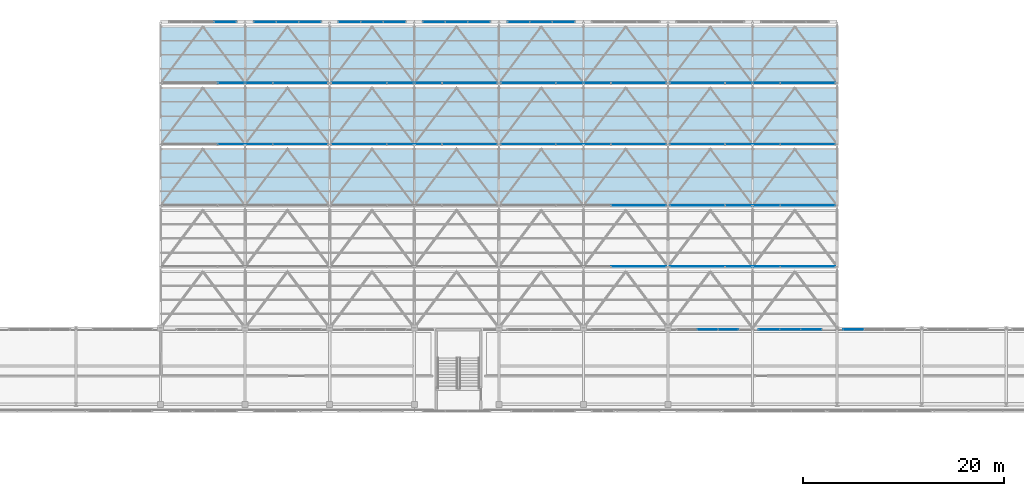
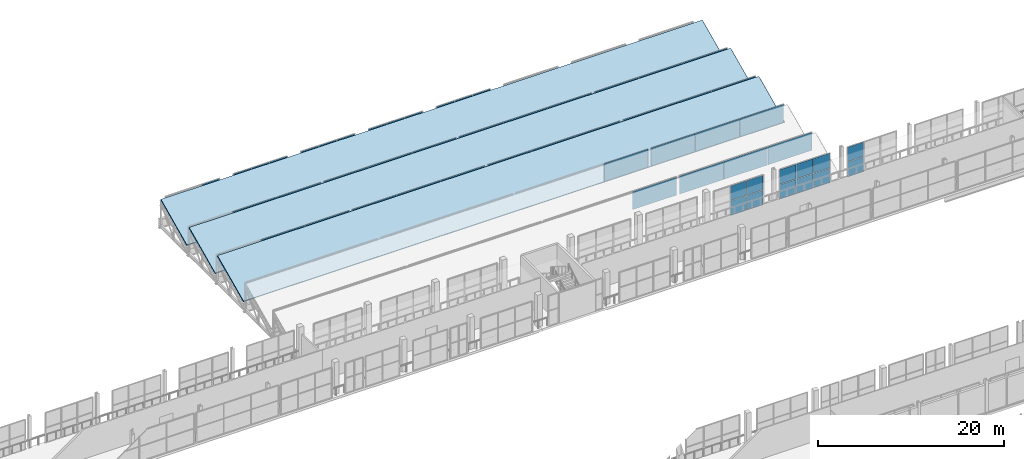
# One storey, part 172 of 217: 55 plates, 3 slabs, 20 elements without a shape of their own.
"""IFC4 building model written with IfcOpenShell, lengths in metres."""

from ifc_helpers import new_model, si_unit, direction, frame, origin, origin_2d, place, context, subcontext, project, spatial, polyline, rectangle, outline, extrude, material, layer, layer_set, type_object, element, aggregate, save


model = new_model("IFC4")

# Units and contexts
model_context = context("Model", 3, precision=1e-05, world=origin(), true_north=direction((0.0, 1.0)))
body_context = subcontext(model_context, "Body", "Model", "MODEL_VIEW")
ifc_project = project(units=[si_unit("LENGTHUNIT", "METRE"), si_unit("AREAUNIT", "SQUARE_METRE"), si_unit("VOLUMEUNIT", "CUBIC_METRE"), si_unit("PLANEANGLEUNIT", "RADIAN"), si_unit("MASSUNIT", "GRAM", prefix="KILO")], contexts=[model_context])

# Site, building, storey
site_placement = place(None, origin())
site = spatial("IfcSite", under=ifc_project, at=site_placement, CompositionType="ELEMENT")
building_placement = place(site_placement, origin())
building = spatial("IfcBuilding", under=site, at=building_placement, Name="Zuvorla Pavilion Media Centre", CompositionType="ELEMENT")
storey_placement = place(building_placement, frame((0.0, 0.0, 9.60009765625)))
storey = spatial("IfcBuildingStorey", under=building, at=storey_placement, Name="L02", CompositionType="ELEMENT", Elevation=9.60009765625)

# Curtain wall, plates
ifc_material_1 = material(Name="Unitised anodised aluminium and solar glass curtain wall", Category="aluminium")
curtain_wall_type_1 = type_object("IfcCurtainWallType", Name="CW-SYS-10", PredefinedType="USERDEFINED", material=ifc_material_1)
curtain_wall_1_placement = place(storey_placement, origin())
curtain_wall_1 = element("IfcCurtainWall", 1, at=curtain_wall_1_placement, inside=storey, type_object=curtain_wall_type_1, Name="L02 curtain wall CW10 15", ObjectType="CURTAIN WALL", PredefinedType="USERDEFINED")
ifc_material_2 = material(Name="Solar control double glazing", Category="glass")
ifc_layer_1 = layer(ifc_material_2, 0.028076171875)
ifc_layer_set_1 = layer_set([ifc_layer_1], Name="Solar control double glazing")
plate_type_1 = type_object("IfcPlateType", Name="CW-PNL-28", PredefinedType="CURTAIN_PANEL", material=ifc_layer_set_1)
plate_1_placement = place(storey_placement, frame((131.423828125, 89.43994140625, 0.02978515625), z_axis=(0.0, 0.0, 1.0), x_axis=(-1.0, 0.0, 0.0)))
plate_1 = element("IfcPlate", 2, at=plate_1_placement, type_object=plate_type_1, Name="CW10 panel 1.1", PredefinedType="CURTAIN_PANEL", context=body_context, shape_type="SweptSolid", body=[
    extrude(rectangle(XDim=2.029541015625, YDim=0.028076171875, at=origin_2d()), origin(), (0.0, 0.0, 1.0), 1.9150390625),
])
plate_2_placement = place(storey_placement, frame((131.423828125, 89.43994140625, 2.0048828125), z_axis=(0.0, 0.0, 1.0), x_axis=(-1.0, 0.0, 0.0)))
plate_2 = element("IfcPlate", 3, at=plate_2_placement, type_object=plate_type_1, Name="CW10 panel 1.2", PredefinedType="CURTAIN_PANEL", context=body_context, shape_type="SweptSolid", body=[
    extrude(rectangle(XDim=2.029541015625, YDim=0.028076171875, at=origin_2d()), origin(), (0.0, 0.0, 1.0), 1.9150390625),
])
plate_3_placement = place(storey_placement, frame((129.33447265625, 89.43994140625, 0.02978515625), z_axis=(0.0, 0.0, 1.0), x_axis=(-1.0, 0.0, 0.0)))
plate_3 = element("IfcPlate", 4, at=plate_3_placement, type_object=plate_type_1, Name="CW10 panel 2.1", PredefinedType="CURTAIN_PANEL", context=body_context, shape_type="SweptSolid", body=[
    extrude(rectangle(XDim=2.029541015625, YDim=0.028076171875, at=origin_2d()), origin(), (0.0, 0.0, 1.0), 1.9150390625),
])
plate_4_placement = place(storey_placement, frame((129.33447265625, 89.43994140625, 2.0048828125), z_axis=(0.0, 0.0, 1.0), x_axis=(-1.0, 0.0, 0.0)))
plate_4 = element("IfcPlate", 5, at=plate_4_placement, type_object=plate_type_1, Name="CW10 panel 2.2", PredefinedType="CURTAIN_PANEL", context=body_context, shape_type="SweptSolid", body=[
    extrude(rectangle(XDim=2.029541015625, YDim=0.028076171875, at=origin_2d()), origin(), (0.0, 0.0, 1.0), 1.9150390625),
])
plate_5_placement = place(storey_placement, frame((127.244873046875, 89.43994140625, 0.02978515625), z_axis=(0.0, 0.0, 1.0), x_axis=(-1.0, 0.0, 0.0)))
plate_5 = element("IfcPlate", 6, at=plate_5_placement, type_object=plate_type_1, Name="CW10 panel 3.1", PredefinedType="CURTAIN_PANEL", context=body_context, shape_type="SweptSolid", body=[
    extrude(rectangle(XDim=2.029541015625, YDim=0.028076171875, at=origin_2d()), origin(), (0.0, 0.0, 1.0), 1.9150390625),
])
plate_6_placement = place(storey_placement, frame((127.244873046875, 89.43994140625, 2.0048828125), z_axis=(0.0, 0.0, 1.0), x_axis=(-1.0, 0.0, 0.0)))
plate_6 = element("IfcPlate", 7, at=plate_6_placement, type_object=plate_type_1, Name="CW10 panel 3.2", PredefinedType="CURTAIN_PANEL", context=body_context, shape_type="SweptSolid", body=[
    extrude(rectangle(XDim=2.029541015625, YDim=0.028076171875, at=origin_2d()), origin(), (0.0, 0.0, 1.0), 1.9150390625),
])
aggregate(curtain_wall_1, [plate_1, plate_2, plate_3, plate_4, plate_5, plate_6])

curtain_wall_type_2 = type_object("IfcCurtainWallType", Name="CW-SYS-11", PredefinedType="USERDEFINED", material=ifc_material_1)
curtain_wall_2_placement = place(storey_placement, origin())
curtain_wall_2 = element("IfcCurtainWall", 8, at=curtain_wall_2_placement, inside=storey, type_object=curtain_wall_type_2, Name="L02 curtain wall CW11 16", ObjectType="CURTAIN WALL", PredefinedType="USERDEFINED")
ifc_material_3 = material(Name="Acoustic laminated solar glazing", Category="glass")
ifc_layer_2 = layer(ifc_material_3, 0.033935546875)
ifc_layer_set_2 = layer_set([ifc_layer_2], Name="Acoustic laminated solar glazing")
plate_type_2 = type_object("IfcPlateType", Name="CW-PNL-34", PredefinedType="CURTAIN_PANEL", material=ifc_layer_set_2)
plate_7_placement = place(storey_placement, frame((123.1845703125, 89.43994140625, 0.02978515625), z_axis=(0.0, 0.0, 1.0), x_axis=(-1.0, 0.0, 0.0)))
plate_7 = element("IfcPlate", 9, at=plate_7_placement, type_object=plate_type_2, Name="CW11 panel 1.1", PredefinedType="CURTAIN_PANEL", context=body_context, shape_type="SweptSolid", body=[
    extrude(rectangle(XDim=1.99365234375, YDim=0.033935546875, at=origin_2d()), origin(), (0.0, 0.0, 1.0), 1.9150390625),
])
plate_8_placement = place(storey_placement, frame((123.1845703125, 89.43994140625, 2.0048828125), z_axis=(0.0, 0.0, 1.0), x_axis=(-1.0, 0.0, 0.0)))
plate_8 = element("IfcPlate", 10, at=plate_8_placement, type_object=plate_type_2, Name="CW11 panel 1.2", PredefinedType="CURTAIN_PANEL", context=body_context, shape_type="SweptSolid", body=[
    extrude(rectangle(XDim=1.99365234375, YDim=0.033935546875, at=origin_2d()), origin(), (0.0, 0.0, 1.0), 1.9150390625),
])
plate_9_placement = place(storey_placement, frame((121.130859375, 89.43994140625, 0.02978515625), z_axis=(0.0, 0.0, 1.0), x_axis=(-1.0, 0.0, 0.0)))
plate_9 = element("IfcPlate", 11, at=plate_9_placement, type_object=plate_type_2, Name="CW11 panel 2.1", PredefinedType="CURTAIN_PANEL", context=body_context, shape_type="SweptSolid", body=[
    extrude(rectangle(XDim=1.99365234375, YDim=0.033935546875, at=origin_2d()), origin(), (0.0, 0.0, 1.0), 1.9150390625),
])
plate_10_placement = place(storey_placement, frame((121.130859375, 89.43994140625, 2.0048828125), z_axis=(0.0, 0.0, 1.0), x_axis=(-1.0, 0.0, 0.0)))
plate_10 = element("IfcPlate", 12, at=plate_10_placement, type_object=plate_type_2, Name="CW11 panel 2.2", PredefinedType="CURTAIN_PANEL", context=body_context, shape_type="SweptSolid", body=[
    extrude(rectangle(XDim=1.99365234375, YDim=0.033935546875, at=origin_2d()), origin(), (0.0, 0.0, 1.0), 1.9150390625),
])
aggregate(curtain_wall_2, [plate_7, plate_8, plate_9, plate_10])

curtain_wall_type_3 = type_object("IfcCurtainWallType", Name="CW-SYS-09", PredefinedType="USERDEFINED", material=ifc_material_1)
curtain_wall_3_placement = place(storey_placement, origin())
curtain_wall_3 = element("IfcCurtainWall", 13, at=curtain_wall_3_placement, inside=storey, type_object=curtain_wall_type_3, Name="L02 curtain wall CW09 14", ObjectType="CURTAIN WALL", PredefinedType="USERDEFINED")
ifc_material_4 = material(Name="Triple acoustic broadcast glazing", Category="glass")
ifc_layer_3 = layer(ifc_material_4, 0.0419921875)
ifc_layer_set_3 = layer_set([ifc_layer_3], Name="Triple acoustic broadcast glazing")
plate_type_3 = type_object("IfcPlateType", Name="CW-PNL-42", PredefinedType="CURTAIN_PANEL", material=ifc_layer_set_3)
plate_11_placement = place(storey_placement, frame((135.62109375, 89.43994140625, 0.02978515625), z_axis=(0.0, 0.0, 1.0), x_axis=(-1.0, 0.0, 0.0)))
plate_11 = element("IfcPlate", 14, at=plate_11_placement, type_object=plate_type_3, Name="CW09 panel 3.1", PredefinedType="CURTAIN_PANEL", context=body_context, shape_type="SweptSolid", body=[
    extrude(rectangle(XDim=1.98193359375, YDim=0.0419921875, at=origin_2d()), origin(), (0.0, 0.0, 1.0), 1.9150390625),
])
plate_12_placement = place(storey_placement, frame((135.62109375, 89.43994140625, 2.0048828125), z_axis=(0.0, 0.0, 1.0), x_axis=(-1.0, 0.0, 0.0)))
plate_12 = element("IfcPlate", 15, at=plate_12_placement, type_object=plate_type_3, Name="CW09 panel 3.2", PredefinedType="CURTAIN_PANEL", context=body_context, shape_type="SweptSolid", body=[
    extrude(rectangle(XDim=1.98193359375, YDim=0.0419921875, at=origin_2d()), origin(), (0.0, 0.0, 1.0), 1.9150390625),
])
aggregate(curtain_wall_3, [plate_11, plate_12])

# Curtain wall, plate
curtain_wall_type_4 = type_object("IfcCurtainWallType", Name="CW-SYS-88", PredefinedType="USERDEFINED", material=ifc_material_1)
curtain_wall_4_placement = place(storey_placement, origin())
curtain_wall_4 = element("IfcCurtainWall", 16, at=curtain_wall_4_placement, inside=storey, type_object=curtain_wall_type_4, Name="L02 curtain wall CW88 202", ObjectType="CURTAIN WALL", PredefinedType="USERDEFINED")
plate_13_placement = place(storey_placement, frame((114.293212890625, 95.679931640625, 0.02978515625), z_axis=(0.0, 0.0, 1.0), x_axis=(1.0, 0.0, 0.0)))
plate_13 = element("IfcPlate", 17, at=plate_13_placement, type_object=plate_type_3, Name="CW88 panel 3.1", PredefinedType="CURTAIN_PANEL", context=body_context, shape_type="SweptSolid", body=[
    extrude(rectangle(XDim=5.433349609375, YDim=0.0419921875, at=origin_2d()), origin(), (0.0, 0.0, 1.0), 2.360107421875),
])
aggregate(curtain_wall_4, [plate_13])

# Curtain wall, plates
curtain_wall_5_placement = place(storey_placement, origin())
curtain_wall_5 = element("IfcCurtainWall", 18, at=curtain_wall_5_placement, inside=storey, type_object=curtain_wall_type_4, Name="L02 curtain wall CW88 203", ObjectType="CURTAIN WALL", PredefinedType="USERDEFINED")
plate_14_placement = place(storey_placement, frame((120.106689453125, 95.679931640625, 0.02978515625), z_axis=(0.0, 0.0, 1.0), x_axis=(1.0, 0.0, 0.0)))
plate_14 = element("IfcPlate", 19, at=plate_14_placement, type_object=plate_type_3, Name="CW88 panel 1.1", PredefinedType="CURTAIN_PANEL", context=body_context, shape_type="SweptSolid", body=[
    extrude(rectangle(XDim=5.433349609375, YDim=0.0419921875, at=origin_2d()), origin(), (0.0, 0.0, 1.0), 2.360107421875),
])
plate_15_placement = place(storey_placement, frame((125.60009765625, 95.679931640625, 0.02978515625), z_axis=(0.0, 0.0, 1.0), x_axis=(1.0, 0.0, 0.0)))
plate_15 = element("IfcPlate", 20, at=plate_15_placement, type_object=plate_type_3, Name="CW88 panel 2.1", PredefinedType="CURTAIN_PANEL", context=body_context, shape_type="SweptSolid", body=[
    extrude(rectangle(XDim=5.433349609375, YDim=0.0419921875, at=origin_2d()), origin(), (0.0, 0.0, 1.0), 2.360107421875),
])
plate_16_placement = place(storey_placement, frame((131.09326171875, 95.679931640625, 0.02978515625), z_axis=(0.0, 0.0, 1.0), x_axis=(1.0, 0.0, 0.0)))
plate_16 = element("IfcPlate", 21, at=plate_16_placement, type_object=plate_type_3, Name="CW88 panel 3.1", PredefinedType="CURTAIN_PANEL", context=body_context, shape_type="SweptSolid", body=[
    extrude(rectangle(XDim=5.433349609375, YDim=0.0419921875, at=origin_2d()), origin(), (0.0, 0.0, 1.0), 2.360107421875),
])
aggregate(curtain_wall_5, [plate_14, plate_15, plate_16])

# Curtain wall, plate
curtain_wall_6_placement = place(storey_placement, origin())
curtain_wall_6 = element("IfcCurtainWall", 22, at=curtain_wall_6_placement, inside=storey, type_object=curtain_wall_type_4, Name="L02 curtain wall CW88 206", ObjectType="CURTAIN WALL", PredefinedType="USERDEFINED")
plate_17_placement = place(storey_placement, frame((114.293212890625, 101.760009765625, 0.02978515625), z_axis=(0.0, 0.0, 1.0), x_axis=(1.0, 0.0, 0.0)))
plate_17 = element("IfcPlate", 23, at=plate_17_placement, type_object=plate_type_3, Name="CW88 panel 3.1", PredefinedType="CURTAIN_PANEL", context=body_context, shape_type="SweptSolid", body=[
    extrude(rectangle(XDim=5.433349609375, YDim=0.0419921875, at=origin_2d()), origin(), (0.0, 0.0, 1.0), 2.360107421875),
])
aggregate(curtain_wall_6, [plate_17])

# Curtain wall, plates
curtain_wall_7_placement = place(storey_placement, origin())
curtain_wall_7 = element("IfcCurtainWall", 24, at=curtain_wall_7_placement, inside=storey, type_object=curtain_wall_type_4, Name="L02 curtain wall CW88 207", ObjectType="CURTAIN WALL", PredefinedType="USERDEFINED")
plate_18_placement = place(storey_placement, frame((120.106689453125, 101.760009765625, 0.02978515625), z_axis=(0.0, 0.0, 1.0), x_axis=(1.0, 0.0, 0.0)))
plate_18 = element("IfcPlate", 25, at=plate_18_placement, type_object=plate_type_3, Name="CW88 panel 1.1", PredefinedType="CURTAIN_PANEL", context=body_context, shape_type="SweptSolid", body=[
    extrude(rectangle(XDim=5.433349609375, YDim=0.0419921875, at=origin_2d()), origin(), (0.0, 0.0, 1.0), 2.360107421875),
])
plate_19_placement = place(storey_placement, frame((125.60009765625, 101.760009765625, 0.02978515625), z_axis=(0.0, 0.0, 1.0), x_axis=(1.0, 0.0, 0.0)))
plate_19 = element("IfcPlate", 26, at=plate_19_placement, type_object=plate_type_3, Name="CW88 panel 2.1", PredefinedType="CURTAIN_PANEL", context=body_context, shape_type="SweptSolid", body=[
    extrude(rectangle(XDim=5.433349609375, YDim=0.0419921875, at=origin_2d()), origin(), (0.0, 0.0, 1.0), 2.360107421875),
])
plate_20_placement = place(storey_placement, frame((131.09326171875, 101.760009765625, 0.02978515625), z_axis=(0.0, 0.0, 1.0), x_axis=(1.0, 0.0, 0.0)))
plate_20 = element("IfcPlate", 27, at=plate_20_placement, type_object=plate_type_3, Name="CW88 panel 3.1", PredefinedType="CURTAIN_PANEL", context=body_context, shape_type="SweptSolid", body=[
    extrude(rectangle(XDim=5.433349609375, YDim=0.0419921875, at=origin_2d()), origin(), (0.0, 0.0, 1.0), 2.360107421875),
])
aggregate(curtain_wall_7, [plate_18, plate_19, plate_20])

curtain_wall_8_placement = place(storey_placement, origin())
curtain_wall_8 = element("IfcCurtainWall", 28, at=curtain_wall_8_placement, inside=storey, type_object=curtain_wall_type_4, Name="L02 curtain wall CW88 208", ObjectType="CURTAIN WALL", PredefinedType="USERDEFINED")
plate_21_placement = place(storey_placement, frame((75.199951171875, 107.840087890625, 0.02978515625), z_axis=(0.0, 0.0, 1.0), x_axis=(1.0, 0.0, 0.0)))
plate_21 = element("IfcPlate", 29, at=plate_21_placement, type_object=plate_type_3, Name="CW88 panel 2.1", PredefinedType="CURTAIN_PANEL", context=body_context, shape_type="SweptSolid", body=[
    extrude(rectangle(XDim=5.433349609375, YDim=0.0419921875, at=origin_2d()), origin(), (0.0, 0.0, 1.0), 2.360107421875),
])
plate_22_placement = place(storey_placement, frame((80.693359375, 107.840087890625, 0.02978515625), z_axis=(0.0, 0.0, 1.0), x_axis=(1.0, 0.0, 0.0)))
plate_22 = element("IfcPlate", 30, at=plate_22_placement, type_object=plate_type_3, Name="CW88 panel 3.1", PredefinedType="CURTAIN_PANEL", context=body_context, shape_type="SweptSolid", body=[
    extrude(rectangle(XDim=5.433349609375, YDim=0.0419921875, at=origin_2d()), origin(), (0.0, 0.0, 1.0), 2.360107421875),
])
aggregate(curtain_wall_8, [plate_21, plate_22])

curtain_wall_9_placement = place(storey_placement, origin())
curtain_wall_9 = element("IfcCurtainWall", 31, at=curtain_wall_9_placement, inside=storey, type_object=curtain_wall_type_4, Name="L02 curtain wall CW88 209", ObjectType="CURTAIN WALL", PredefinedType="USERDEFINED")
plate_23_placement = place(storey_placement, frame((86.506591796875, 107.840087890625, 0.02978515625), z_axis=(0.0, 0.0, 1.0), x_axis=(1.0, 0.0, 0.0)))
plate_23 = element("IfcPlate", 32, at=plate_23_placement, type_object=plate_type_3, Name="CW88 panel 1.1", PredefinedType="CURTAIN_PANEL", context=body_context, shape_type="SweptSolid", body=[
    extrude(rectangle(XDim=5.433349609375, YDim=0.0419921875, at=origin_2d()), origin(), (0.0, 0.0, 1.0), 2.360107421875),
])
plate_24_placement = place(storey_placement, frame((92.0, 107.840087890625, 0.02978515625), z_axis=(0.0, 0.0, 1.0), x_axis=(1.0, 0.0, 0.0)))
plate_24 = element("IfcPlate", 33, at=plate_24_placement, type_object=plate_type_3, Name="CW88 panel 2.1", PredefinedType="CURTAIN_PANEL", context=body_context, shape_type="SweptSolid", body=[
    extrude(rectangle(XDim=5.433349609375, YDim=0.0419921875, at=origin_2d()), origin(), (0.0, 0.0, 1.0), 2.360107421875),
])
plate_25_placement = place(storey_placement, frame((97.493408203125, 107.840087890625, 0.02978515625), z_axis=(0.0, 0.0, 1.0), x_axis=(1.0, 0.0, 0.0)))
plate_25 = element("IfcPlate", 34, at=plate_25_placement, type_object=plate_type_3, Name="CW88 panel 3.1", PredefinedType="CURTAIN_PANEL", context=body_context, shape_type="SweptSolid", body=[
    extrude(rectangle(XDim=5.433349609375, YDim=0.0419921875, at=origin_2d()), origin(), (0.0, 0.0, 1.0), 2.360107421875),
])
aggregate(curtain_wall_9, [plate_23, plate_24, plate_25])

curtain_wall_10_placement = place(storey_placement, origin())
curtain_wall_10 = element("IfcCurtainWall", 35, at=curtain_wall_10_placement, inside=storey, type_object=curtain_wall_type_4, Name="L02 curtain wall CW88 210", ObjectType="CURTAIN WALL", PredefinedType="USERDEFINED")
plate_26_placement = place(storey_placement, frame((103.306640625, 107.840087890625, 0.02978515625), z_axis=(0.0, 0.0, 1.0), x_axis=(1.0, 0.0, 0.0)))
plate_26 = element("IfcPlate", 36, at=plate_26_placement, type_object=plate_type_3, Name="CW88 panel 1.1", PredefinedType="CURTAIN_PANEL", context=body_context, shape_type="SweptSolid", body=[
    extrude(rectangle(XDim=5.433349609375, YDim=0.0419921875, at=origin_2d()), origin(), (0.0, 0.0, 1.0), 2.360107421875),
])
plate_27_placement = place(storey_placement, frame((108.800048828125, 107.840087890625, 0.02978515625), z_axis=(0.0, 0.0, 1.0), x_axis=(1.0, 0.0, 0.0)))
plate_27 = element("IfcPlate", 37, at=plate_27_placement, type_object=plate_type_3, Name="CW88 panel 2.1", PredefinedType="CURTAIN_PANEL", context=body_context, shape_type="SweptSolid", body=[
    extrude(rectangle(XDim=5.433349609375, YDim=0.0419921875, at=origin_2d()), origin(), (0.0, 0.0, 1.0), 2.360107421875),
])
plate_28_placement = place(storey_placement, frame((114.293212890625, 107.840087890625, 0.02978515625), z_axis=(0.0, 0.0, 1.0), x_axis=(1.0, 0.0, 0.0)))
plate_28 = element("IfcPlate", 38, at=plate_28_placement, type_object=plate_type_3, Name="CW88 panel 3.1", PredefinedType="CURTAIN_PANEL", context=body_context, shape_type="SweptSolid", body=[
    extrude(rectangle(XDim=5.433349609375, YDim=0.0419921875, at=origin_2d()), origin(), (0.0, 0.0, 1.0), 2.360107421875),
])
aggregate(curtain_wall_10, [plate_26, plate_27, plate_28])

curtain_wall_11_placement = place(storey_placement, origin())
curtain_wall_11 = element("IfcCurtainWall", 39, at=curtain_wall_11_placement, inside=storey, type_object=curtain_wall_type_4, Name="L02 curtain wall CW88 211", ObjectType="CURTAIN WALL", PredefinedType="USERDEFINED")
plate_29_placement = place(storey_placement, frame((120.106689453125, 107.840087890625, 0.02978515625), z_axis=(0.0, 0.0, 1.0), x_axis=(1.0, 0.0, 0.0)))
plate_29 = element("IfcPlate", 40, at=plate_29_placement, type_object=plate_type_3, Name="CW88 panel 1.1", PredefinedType="CURTAIN_PANEL", context=body_context, shape_type="SweptSolid", body=[
    extrude(rectangle(XDim=5.433349609375, YDim=0.0419921875, at=origin_2d()), origin(), (0.0, 0.0, 1.0), 2.360107421875),
])
plate_30_placement = place(storey_placement, frame((125.60009765625, 107.840087890625, 0.02978515625), z_axis=(0.0, 0.0, 1.0), x_axis=(1.0, 0.0, 0.0)))
plate_30 = element("IfcPlate", 41, at=plate_30_placement, type_object=plate_type_3, Name="CW88 panel 2.1", PredefinedType="CURTAIN_PANEL", context=body_context, shape_type="SweptSolid", body=[
    extrude(rectangle(XDim=5.433349609375, YDim=0.0419921875, at=origin_2d()), origin(), (0.0, 0.0, 1.0), 2.360107421875),
])
plate_31_placement = place(storey_placement, frame((131.09326171875, 107.840087890625, 0.02978515625), z_axis=(0.0, 0.0, 1.0), x_axis=(1.0, 0.0, 0.0)))
plate_31 = element("IfcPlate", 42, at=plate_31_placement, type_object=plate_type_3, Name="CW88 panel 3.1", PredefinedType="CURTAIN_PANEL", context=body_context, shape_type="SweptSolid", body=[
    extrude(rectangle(XDim=5.433349609375, YDim=0.0419921875, at=origin_2d()), origin(), (0.0, 0.0, 1.0), 2.360107421875),
])
aggregate(curtain_wall_11, [plate_29, plate_30, plate_31])

curtain_wall_12_placement = place(storey_placement, origin())
curtain_wall_12 = element("IfcCurtainWall", 43, at=curtain_wall_12_placement, inside=storey, type_object=curtain_wall_type_4, Name="L02 curtain wall CW88 212", ObjectType="CURTAIN WALL", PredefinedType="USERDEFINED")
plate_32_placement = place(storey_placement, frame((75.199951171875, 113.919921875, 0.02978515625), z_axis=(0.0, 0.0, 1.0), x_axis=(1.0, 0.0, 0.0)))
plate_32 = element("IfcPlate", 44, at=plate_32_placement, type_object=plate_type_3, Name="CW88 panel 2.1", PredefinedType="CURTAIN_PANEL", context=body_context, shape_type="SweptSolid", body=[
    extrude(rectangle(XDim=5.433349609375, YDim=0.0419921875, at=origin_2d()), origin(), (0.0, 0.0, 1.0), 2.360107421875),
])
plate_33_placement = place(storey_placement, frame((80.693359375, 113.919921875, 0.02978515625), z_axis=(0.0, 0.0, 1.0), x_axis=(1.0, 0.0, 0.0)))
plate_33 = element("IfcPlate", 45, at=plate_33_placement, type_object=plate_type_3, Name="CW88 panel 3.1", PredefinedType="CURTAIN_PANEL", context=body_context, shape_type="SweptSolid", body=[
    extrude(rectangle(XDim=5.433349609375, YDim=0.0419921875, at=origin_2d()), origin(), (0.0, 0.0, 1.0), 2.360107421875),
])
aggregate(curtain_wall_12, [plate_32, plate_33])

curtain_wall_13_placement = place(storey_placement, origin())
curtain_wall_13 = element("IfcCurtainWall", 46, at=curtain_wall_13_placement, inside=storey, type_object=curtain_wall_type_4, Name="L02 curtain wall CW88 213", ObjectType="CURTAIN WALL", PredefinedType="USERDEFINED")
plate_34_placement = place(storey_placement, frame((86.506591796875, 113.919921875, 0.02978515625), z_axis=(0.0, 0.0, 1.0), x_axis=(1.0, 0.0, 0.0)))
plate_34 = element("IfcPlate", 47, at=plate_34_placement, type_object=plate_type_3, Name="CW88 panel 1.1", PredefinedType="CURTAIN_PANEL", context=body_context, shape_type="SweptSolid", body=[
    extrude(rectangle(XDim=5.433349609375, YDim=0.0419921875, at=origin_2d()), origin(), (0.0, 0.0, 1.0), 2.360107421875),
])
plate_35_placement = place(storey_placement, frame((92.0, 113.919921875, 0.02978515625), z_axis=(0.0, 0.0, 1.0), x_axis=(1.0, 0.0, 0.0)))
plate_35 = element("IfcPlate", 48, at=plate_35_placement, type_object=plate_type_3, Name="CW88 panel 2.1", PredefinedType="CURTAIN_PANEL", context=body_context, shape_type="SweptSolid", body=[
    extrude(rectangle(XDim=5.433349609375, YDim=0.0419921875, at=origin_2d()), origin(), (0.0, 0.0, 1.0), 2.360107421875),
])
plate_36_placement = place(storey_placement, frame((97.493408203125, 113.919921875, 0.02978515625), z_axis=(0.0, 0.0, 1.0), x_axis=(1.0, 0.0, 0.0)))
plate_36 = element("IfcPlate", 49, at=plate_36_placement, type_object=plate_type_3, Name="CW88 panel 3.1", PredefinedType="CURTAIN_PANEL", context=body_context, shape_type="SweptSolid", body=[
    extrude(rectangle(XDim=5.433349609375, YDim=0.0419921875, at=origin_2d()), origin(), (0.0, 0.0, 1.0), 2.360107421875),
])
aggregate(curtain_wall_13, [plate_34, plate_35, plate_36])

curtain_wall_14_placement = place(storey_placement, origin())
curtain_wall_14 = element("IfcCurtainWall", 50, at=curtain_wall_14_placement, inside=storey, type_object=curtain_wall_type_4, Name="L02 curtain wall CW88 214", ObjectType="CURTAIN WALL", PredefinedType="USERDEFINED")
plate_37_placement = place(storey_placement, frame((103.306640625, 113.919921875, 0.02978515625), z_axis=(0.0, 0.0, 1.0), x_axis=(1.0, 0.0, 0.0)))
plate_37 = element("IfcPlate", 51, at=plate_37_placement, type_object=plate_type_3, Name="CW88 panel 1.1", PredefinedType="CURTAIN_PANEL", context=body_context, shape_type="SweptSolid", body=[
    extrude(rectangle(XDim=5.433349609375, YDim=0.0419921875, at=origin_2d()), origin(), (0.0, 0.0, 1.0), 2.360107421875),
])
plate_38_placement = place(storey_placement, frame((108.800048828125, 113.919921875, 0.02978515625), z_axis=(0.0, 0.0, 1.0), x_axis=(1.0, 0.0, 0.0)))
plate_38 = element("IfcPlate", 52, at=plate_38_placement, type_object=plate_type_3, Name="CW88 panel 2.1", PredefinedType="CURTAIN_PANEL", context=body_context, shape_type="SweptSolid", body=[
    extrude(rectangle(XDim=5.433349609375, YDim=0.0419921875, at=origin_2d()), origin(), (0.0, 0.0, 1.0), 2.360107421875),
])
plate_39_placement = place(storey_placement, frame((114.293212890625, 113.919921875, 0.02978515625), z_axis=(0.0, 0.0, 1.0), x_axis=(1.0, 0.0, 0.0)))
plate_39 = element("IfcPlate", 53, at=plate_39_placement, type_object=plate_type_3, Name="CW88 panel 3.1", PredefinedType="CURTAIN_PANEL", context=body_context, shape_type="SweptSolid", body=[
    extrude(rectangle(XDim=5.433349609375, YDim=0.0419921875, at=origin_2d()), origin(), (0.0, 0.0, 1.0), 2.360107421875),
])
aggregate(curtain_wall_14, [plate_37, plate_38, plate_39])

curtain_wall_15_placement = place(storey_placement, origin())
curtain_wall_15 = element("IfcCurtainWall", 54, at=curtain_wall_15_placement, inside=storey, type_object=curtain_wall_type_4, Name="L02 curtain wall CW88 215", ObjectType="CURTAIN WALL", PredefinedType="USERDEFINED")
plate_40_placement = place(storey_placement, frame((120.106689453125, 113.919921875, 0.02978515625), z_axis=(0.0, 0.0, 1.0), x_axis=(1.0, 0.0, 0.0)))
plate_40 = element("IfcPlate", 55, at=plate_40_placement, type_object=plate_type_3, Name="CW88 panel 1.1", PredefinedType="CURTAIN_PANEL", context=body_context, shape_type="SweptSolid", body=[
    extrude(rectangle(XDim=5.433349609375, YDim=0.0419921875, at=origin_2d()), origin(), (0.0, 0.0, 1.0), 2.360107421875),
])
plate_41_placement = place(storey_placement, frame((125.60009765625, 113.919921875, 0.02978515625), z_axis=(0.0, 0.0, 1.0), x_axis=(1.0, 0.0, 0.0)))
plate_41 = element("IfcPlate", 56, at=plate_41_placement, type_object=plate_type_3, Name="CW88 panel 2.1", PredefinedType="CURTAIN_PANEL", context=body_context, shape_type="SweptSolid", body=[
    extrude(rectangle(XDim=5.433349609375, YDim=0.0419921875, at=origin_2d()), origin(), (0.0, 0.0, 1.0), 2.360107421875),
])
plate_42_placement = place(storey_placement, frame((131.09326171875, 113.919921875, 0.02978515625), z_axis=(0.0, 0.0, 1.0), x_axis=(1.0, 0.0, 0.0)))
plate_42 = element("IfcPlate", 57, at=plate_42_placement, type_object=plate_type_3, Name="CW88 panel 3.1", PredefinedType="CURTAIN_PANEL", context=body_context, shape_type="SweptSolid", body=[
    extrude(rectangle(XDim=5.433349609375, YDim=0.0419921875, at=origin_2d()), origin(), (0.0, 0.0, 1.0), 2.360107421875),
])
aggregate(curtain_wall_15, [plate_40, plate_41, plate_42])

# Curtain wall, plate
curtain_wall_type_5 = type_object("IfcCurtainWallType", Name="CW-SYS-89", PredefinedType="USERDEFINED", material=ifc_material_1)
curtain_wall_16_placement = place(storey_placement, origin())
curtain_wall_16 = element("IfcCurtainWall", 58, at=curtain_wall_16_placement, inside=storey, type_object=curtain_wall_type_5, Name="L02 curtain wall CW89 216", ObjectType="CURTAIN WALL", PredefinedType="USERDEFINED")
plate_43_placement = place(storey_placement, frame((73.233154296875, 120.0, 0.02978515625), z_axis=(0.0, 0.0, 1.0), x_axis=(1.0, 0.0, 0.0)))
plate_43 = element("IfcPlate", 59, at=plate_43_placement, type_object=plate_type_3, Name="CW89 panel 3.1", PredefinedType="CURTAIN_PANEL", context=body_context, shape_type="SweptSolid", body=[
    extrude(rectangle(XDim=2.173095703125, YDim=0.0419921875, at=origin_2d()), origin(), (0.0, 0.0, 1.0), 2.360107421875),
])
aggregate(curtain_wall_16, [plate_43])

# Curtain wall, plates
curtain_wall_17_placement = place(storey_placement, origin())
curtain_wall_17 = element("IfcCurtainWall", 60, at=curtain_wall_17_placement, inside=storey, type_object=curtain_wall_type_5, Name="L02 curtain wall CW89 217", ObjectType="CURTAIN WALL", PredefinedType="USERDEFINED")
plate_44_placement = place(storey_placement, frame((77.166748046875, 120.0, 0.02978515625), z_axis=(0.0, 0.0, 1.0), x_axis=(1.0, 0.0, 0.0)))
plate_44 = element("IfcPlate", 61, at=plate_44_placement, type_object=plate_type_3, Name="CW89 panel 1.1", PredefinedType="CURTAIN_PANEL", context=body_context, shape_type="SweptSolid", body=[
    extrude(rectangle(XDim=2.173095703125, YDim=0.0419921875, at=origin_2d()), origin(), (0.0, 0.0, 1.0), 2.360107421875),
])
plate_45_placement = place(storey_placement, frame((79.39990234375, 120.0, 0.02978515625), z_axis=(0.0, 0.0, 1.0), x_axis=(1.0, 0.0, 0.0)))
plate_45 = element("IfcPlate", 62, at=plate_45_placement, type_object=plate_type_3, Name="CW89 panel 2.1", PredefinedType="CURTAIN_PANEL", context=body_context, shape_type="SweptSolid", body=[
    extrude(rectangle(XDim=2.173095703125, YDim=0.0419921875, at=origin_2d()), origin(), (0.0, 0.0, 1.0), 2.360107421875),
])
plate_46_placement = place(storey_placement, frame((81.633056640625, 120.0, 0.02978515625), z_axis=(0.0, 0.0, 1.0), x_axis=(1.0, 0.0, 0.0)))
plate_46 = element("IfcPlate", 63, at=plate_46_placement, type_object=plate_type_3, Name="CW89 panel 3.1", PredefinedType="CURTAIN_PANEL", context=body_context, shape_type="SweptSolid", body=[
    extrude(rectangle(XDim=2.173095703125, YDim=0.0419921875, at=origin_2d()), origin(), (0.0, 0.0, 1.0), 2.360107421875),
])
aggregate(curtain_wall_17, [plate_44, plate_45, plate_46])

curtain_wall_18_placement = place(storey_placement, origin())
curtain_wall_18 = element("IfcCurtainWall", 64, at=curtain_wall_18_placement, inside=storey, type_object=curtain_wall_type_5, Name="L02 curtain wall CW89 218", ObjectType="CURTAIN WALL", PredefinedType="USERDEFINED")
plate_47_placement = place(storey_placement, frame((85.56689453125, 120.0, 0.02978515625), z_axis=(0.0, 0.0, 1.0), x_axis=(1.0, 0.0, 0.0)))
plate_47 = element("IfcPlate", 65, at=plate_47_placement, type_object=plate_type_3, Name="CW89 panel 1.1", PredefinedType="CURTAIN_PANEL", context=body_context, shape_type="SweptSolid", body=[
    extrude(rectangle(XDim=2.173095703125, YDim=0.0419921875, at=origin_2d()), origin(), (0.0, 0.0, 1.0), 2.360107421875),
])
plate_48_placement = place(storey_placement, frame((87.800048828125, 120.0, 0.02978515625), z_axis=(0.0, 0.0, 1.0), x_axis=(1.0, 0.0, 0.0)))
plate_48 = element("IfcPlate", 66, at=plate_48_placement, type_object=plate_type_3, Name="CW89 panel 2.1", PredefinedType="CURTAIN_PANEL", context=body_context, shape_type="SweptSolid", body=[
    extrude(rectangle(XDim=2.173095703125, YDim=0.0419921875, at=origin_2d()), origin(), (0.0, 0.0, 1.0), 2.360107421875),
])
plate_49_placement = place(storey_placement, frame((90.033203125, 120.0, 0.02978515625), z_axis=(0.0, 0.0, 1.0), x_axis=(1.0, 0.0, 0.0)))
plate_49 = element("IfcPlate", 67, at=plate_49_placement, type_object=plate_type_3, Name="CW89 panel 3.1", PredefinedType="CURTAIN_PANEL", context=body_context, shape_type="SweptSolid", body=[
    extrude(rectangle(XDim=2.173095703125, YDim=0.0419921875, at=origin_2d()), origin(), (0.0, 0.0, 1.0), 2.360107421875),
])
aggregate(curtain_wall_18, [plate_47, plate_48, plate_49])

curtain_wall_19_placement = place(storey_placement, origin())
curtain_wall_19 = element("IfcCurtainWall", 68, at=curtain_wall_19_placement, inside=storey, type_object=curtain_wall_type_5, Name="L02 curtain wall CW89 219", ObjectType="CURTAIN WALL", PredefinedType="USERDEFINED")
plate_50_placement = place(storey_placement, frame((93.966796875, 120.0, 0.02978515625), z_axis=(0.0, 0.0, 1.0), x_axis=(1.0, 0.0, 0.0)))
plate_50 = element("IfcPlate", 69, at=plate_50_placement, type_object=plate_type_3, Name="CW89 panel 1.1", PredefinedType="CURTAIN_PANEL", context=body_context, shape_type="SweptSolid", body=[
    extrude(rectangle(XDim=2.173095703125, YDim=0.0419921875, at=origin_2d()), origin(), (0.0, 0.0, 1.0), 2.360107421875),
])
plate_51_placement = place(storey_placement, frame((96.199951171875, 120.0, 0.02978515625), z_axis=(0.0, 0.0, 1.0), x_axis=(1.0, 0.0, 0.0)))
plate_51 = element("IfcPlate", 70, at=plate_51_placement, type_object=plate_type_3, Name="CW89 panel 2.1", PredefinedType="CURTAIN_PANEL", context=body_context, shape_type="SweptSolid", body=[
    extrude(rectangle(XDim=2.173095703125, YDim=0.0419921875, at=origin_2d()), origin(), (0.0, 0.0, 1.0), 2.360107421875),
])
plate_52_placement = place(storey_placement, frame((98.43310546875, 120.0, 0.02978515625), z_axis=(0.0, 0.0, 1.0), x_axis=(1.0, 0.0, 0.0)))
plate_52 = element("IfcPlate", 71, at=plate_52_placement, type_object=plate_type_3, Name="CW89 panel 3.1", PredefinedType="CURTAIN_PANEL", context=body_context, shape_type="SweptSolid", body=[
    extrude(rectangle(XDim=2.173095703125, YDim=0.0419921875, at=origin_2d()), origin(), (0.0, 0.0, 1.0), 2.360107421875),
])
aggregate(curtain_wall_19, [plate_50, plate_51, plate_52])

curtain_wall_20_placement = place(storey_placement, origin())
curtain_wall_20 = element("IfcCurtainWall", 72, at=curtain_wall_20_placement, inside=storey, type_object=curtain_wall_type_5, Name="L02 curtain wall CW89 220", ObjectType="CURTAIN WALL", PredefinedType="USERDEFINED")
plate_53_placement = place(storey_placement, frame((102.366943359375, 120.0, 0.02978515625), z_axis=(0.0, 0.0, 1.0), x_axis=(1.0, 0.0, 0.0)))
plate_53 = element("IfcPlate", 73, at=plate_53_placement, type_object=plate_type_3, Name="CW89 panel 1.1", PredefinedType="CURTAIN_PANEL", context=body_context, shape_type="SweptSolid", body=[
    extrude(rectangle(XDim=2.173095703125, YDim=0.0419921875, at=origin_2d()), origin(), (0.0, 0.0, 1.0), 2.360107421875),
])
plate_54_placement = place(storey_placement, frame((104.60009765625, 120.0, 0.02978515625), z_axis=(0.0, 0.0, 1.0), x_axis=(1.0, 0.0, 0.0)))
plate_54 = element("IfcPlate", 74, at=plate_54_placement, type_object=plate_type_3, Name="CW89 panel 2.1", PredefinedType="CURTAIN_PANEL", context=body_context, shape_type="SweptSolid", body=[
    extrude(rectangle(XDim=2.173095703125, YDim=0.0419921875, at=origin_2d()), origin(), (0.0, 0.0, 1.0), 2.360107421875),
])
plate_55_placement = place(storey_placement, frame((106.833251953125, 120.0, 0.02978515625), z_axis=(0.0, 0.0, 1.0), x_axis=(1.0, 0.0, 0.0)))
plate_55 = element("IfcPlate", 75, at=plate_55_placement, type_object=plate_type_3, Name="CW89 panel 3.1", PredefinedType="CURTAIN_PANEL", context=body_context, shape_type="SweptSolid", body=[
    extrude(rectangle(XDim=2.173095703125, YDim=0.0419921875, at=origin_2d()), origin(), (0.0, 0.0, 1.0), 2.360107421875),
])
aggregate(curtain_wall_20, [plate_53, plate_54, plate_55])

# Slabs
ifc_material_5 = material(Name="Concrete C32/40", Category="concrete")
ifc_layer_4 = layer(ifc_material_5, 0.159912109375)
ifc_layer_set_4 = layer_set([ifc_layer_4], Name="Concrete C32/40")
slab_type = type_object("IfcSlabType", Name="SLB-ROOF-160", PredefinedType="ROOF", material=ifc_layer_set_4)
slab_1_placement = place(storey_placement, frame((66.800048828125, 101.760009765625, 0.0), z_axis=(0.0, -0.421085746954, 0.907020834222), x_axis=(1.0, 0.0, 0.0)))
element("IfcSlab", 76, at=slab_1_placement, inside=storey, type_object=slab_type, Name="L02 sawtooth roof slab BRD bay 3", PredefinedType="ROOF", context=body_context, shape_type="SweptSolid", body=[
    extrude(outline(polyline([(0.0, 0.0), (67.199951171875, 0.0), (67.199951171875, 6.174166507492684), (0.0, 6.174166507492684), (0.0, 0.0)])), origin(), (0.0, 0.0, -1.0), 0.159912109375),
])
slab_2_placement = place(storey_placement, frame((66.800048828125, 107.840087890625, 0.0), z_axis=(0.0, -0.421100849961, 0.907013822476), x_axis=(1.0, 0.0, 0.0)))
element("IfcSlab", 77, at=slab_2_placement, inside=storey, type_object=slab_type, Name="L02 sawtooth roof slab BRD bay 4", PredefinedType="ROOF", context=body_context, shape_type="SweptSolid", body=[
    extrude(outline(polyline([(0.0, 0.0), (67.199951171875, 0.0), (67.199951171875, 6.17394506771524), (0.0, 6.17394506771524), (0.0, 0.0)])), origin(), (0.0, 0.0, -1.0), 0.159912109375),
])
slab_3_placement = place(storey_placement, frame((66.800048828125, 113.919921875, 0.0), z_axis=(0.0, -0.421085746954, 0.907020834222), x_axis=(1.0, 0.0, 0.0)))
element("IfcSlab", 78, at=slab_3_placement, inside=storey, type_object=slab_type, Name="L02 sawtooth roof slab BRD bay 5", PredefinedType="ROOF", context=body_context, shape_type="SweptSolid", body=[
    extrude(outline(polyline([(0.0, 0.0), (67.199951171875, 0.0), (67.199951171875, 6.174166507492684), (0.0, 6.174166507492684), (0.0, 0.0)])), origin(), (0.0, 0.0, -1.0), 0.159912109375),
])

save(model, "model.ifc")
